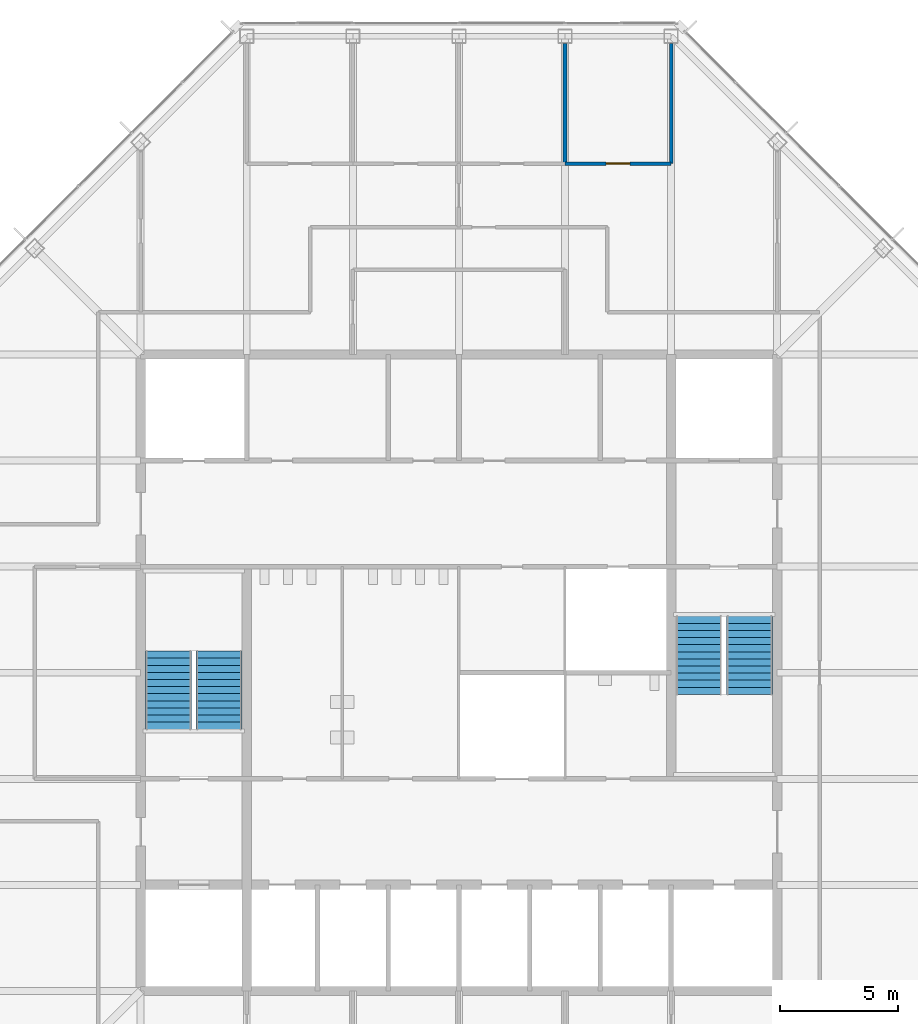
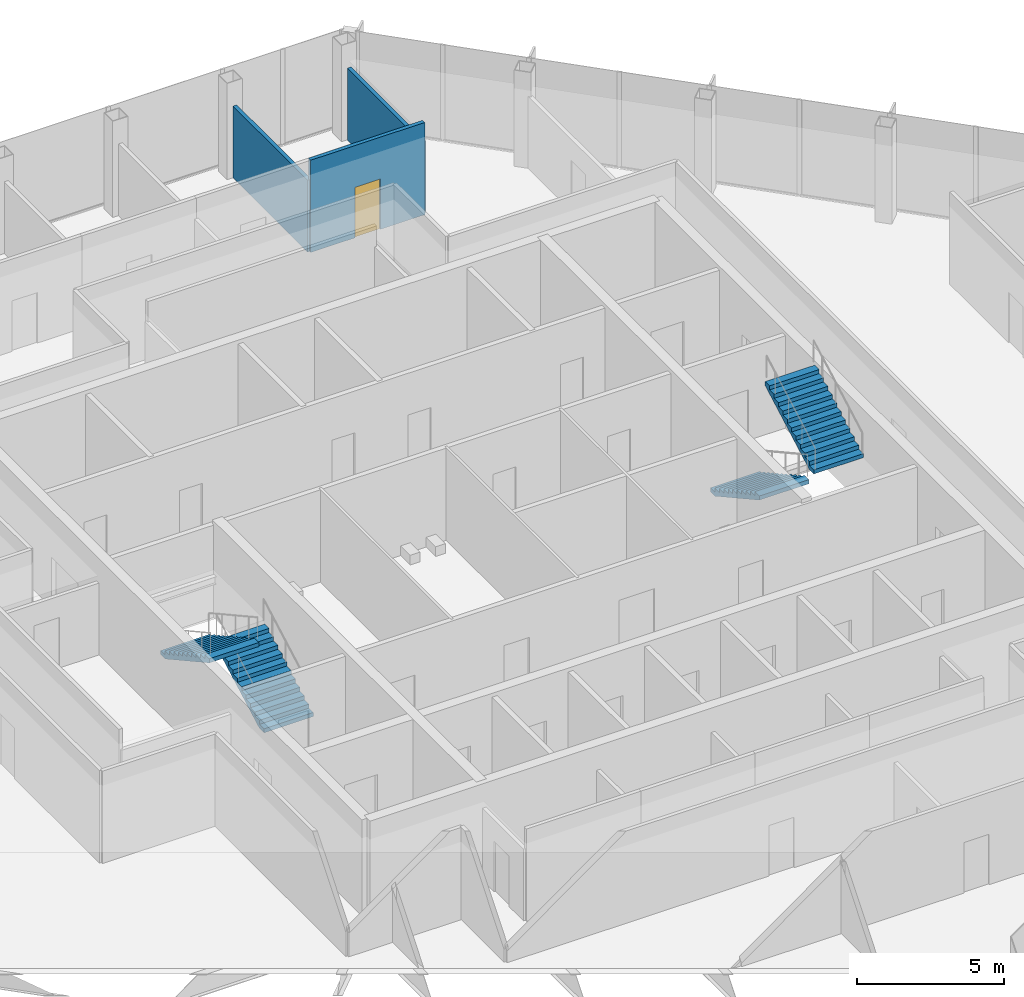
# One storey, part 12 of 14: 4 stair flights, 3 walls, 1 door, 1 opening, 2 elements without a shape of their own.
"""IFC4 building model written with IfcOpenShell, lengths in metres."""

import ifcopenshell
import ifcopenshell.guid

model = None  # the IFC model being written
_history = None  # IfcOwnerHistory: only IFC2X3 demands one
_inside = {}  # id of a spatial element -> (the spatial element, [elements in it])
_under = {}  # id of a project, library or spatial element -> (it, [spatial elements below it])
_declared = {}  # id of a project -> (the project, [libraries it declares])
_typed = {}  # id of a type object -> (the type object, [elements of that type])
_made_of = {}  # id of a material, layer set ... -> (it, [elements and type objects made of it])


def new_model(schema):
    """Start an empty IFC model of exactly this schema.

    Asked for "IFC4X3", IfcOpenShell would pick the latest addendum, in which some entities
    have other attributes; the version numbers below select the first issue.
    IFC2X3 requires an IfcOwnerHistory on every rooted entity: one is made here for all.
    """
    global model, _history
    if schema == "IFC4X3":
        model = ifcopenshell.file(schema_version=(4, 3, 0, 0))
    else:
        model = ifcopenshell.file(schema=schema)
    _inside.clear()
    _under.clear()
    _declared.clear()
    _typed.clear()
    _made_of.clear()
    _history = None
    if model.schema == "IFC2X3":
        org = make("IfcOrganization", Name="unknown")
        user = make(
            "IfcPersonAndOrganization",
            ThePerson=make("IfcPerson", FamilyName="unknown"),
            TheOrganization=org,
        )
        app = make(
            "IfcApplication",
            ApplicationDeveloper=org,
            Version="unknown",
            ApplicationFullName="unknown",
            ApplicationIdentifier="unknown",
        )
        _history = make(
            "IfcOwnerHistory",
            OwningUser=user,
            OwningApplication=app,
            ChangeAction="ADDED",
            CreationDate=0,
        )
    return model


def make(cls, **values):
    """One entity of the class cls with the attributes given. An attribute that is None is left unset."""
    return model.create_entity(
        cls, **{name: value for name, value in values.items() if value is not None}
    )


def rooted(cls, **values):
    """An entity with a GlobalId (a new one), such as an element, a storey or a relation."""
    return make(cls, GlobalId=ifcopenshell.guid.new(), OwnerHistory=_history, **values)


def si_unit(unit_type, name, prefix=None):
    """IfcSIUnit, for example si_unit("LENGTHUNIT", "METRE", prefix="MILLI")."""
    return make("IfcSIUnit", UnitType=unit_type, Prefix=prefix, Name=name)


def assignment(units):
    """IfcUnitAssignment: the units of a project."""
    return None if units is None else make("IfcUnitAssignment", Units=units)


def point(xyz):
    """IfcCartesianPoint."""
    return None if xyz is None else make("IfcCartesianPoint", Coordinates=xyz)


def direction(xyz):
    """IfcDirection."""
    return None if xyz is None else make("IfcDirection", DirectionRatios=xyz)


def frame(location, z_axis=None, x_axis=None):
    """IfcAxis2Placement3D, a coordinate frame: its origin and axes. An axis left out is left unset."""
    return make(
        "IfcAxis2Placement3D",
        Location=point(location),
        Axis=direction(z_axis),
        RefDirection=direction(x_axis),
    )


def frame_2d(location, x_axis=None):
    """IfcAxis2Placement2D, a coordinate frame in the plane: its origin and x axis."""
    return make(
        "IfcAxis2Placement2D", Location=point(location), RefDirection=direction(x_axis)
    )


def origin():
    """The frame at (0, 0, 0) with its axes left unset."""
    return frame((0.0, 0.0, 0.0))


def place(relative_to, where):
    """IfcLocalPlacement: puts the frame where relative to a parent placement (None: the world)."""
    return make(
        "IfcLocalPlacement", PlacementRelTo=relative_to, RelativePlacement=where
    )


def context(
    kind, dimensions, precision=None, world=None, true_north=None, identifier=None
):
    """IfcGeometricRepresentationContext, for example the 3D "Model" context."""
    return make(
        "IfcGeometricRepresentationContext",
        ContextIdentifier=identifier,
        ContextType=kind,
        CoordinateSpaceDimension=dimensions,
        Precision=precision,
        WorldCoordinateSystem=world,
        TrueNorth=true_north,
    )


def subcontext(parent, identifier, kind, view, scale=None):
    """IfcGeometricRepresentationSubContext, for example "Body" below "Model"."""
    return make(
        "IfcGeometricRepresentationSubContext",
        ContextIdentifier=identifier,
        ContextType=kind,
        ParentContext=parent,
        TargetScale=scale,
        TargetView=view,
    )


def project(units=None, contexts=None):
    """IfcProject with its units and contexts."""
    return rooted(
        "IfcProject",
        Name="project",
        RepresentationContexts=contexts,
        UnitsInContext=assignment(units),
    )


def spatial(cls, under=None, at=None, **own):
    """A site, building, storey or space (cls), placed at a placement, below another one or the project."""
    s = rooted(cls, ObjectPlacement=at, **own)
    if under is not None:
        _under.setdefault(under.id(), (under, []))[1].append(s)
    return s


def polyline(points):
    """IfcPolyline through the points."""
    return make("IfcPolyline", Points=[point(p) for p in points])


def profile(cls, at=None, kind="AREA", **sizes):
    """A parametric profile (cls). Its sizes go by their IFC names, for example OverallWidth=200.0."""
    return make(cls, ProfileType=kind, Position=at, **sizes)


def rectangle(**sizes):
    """IfcRectangleProfileDef."""
    return profile("IfcRectangleProfileDef", **sizes)


def outline(outer, holes=None, kind="AREA"):
    """IfcArbitraryClosedProfileDef: a profile drawn as a closed curve; with holes, ...WithVoids."""
    if holes is None:
        return make("IfcArbitraryClosedProfileDef", ProfileType=kind, OuterCurve=outer)
    return make(
        "IfcArbitraryProfileDefWithVoids",
        ProfileType=kind,
        OuterCurve=outer,
        InnerCurves=holes,
    )


def extrude(swept, where, along, depth):
    """IfcExtrudedAreaSolid: the profile swept, set in the frame where, extruded along a direction by depth."""
    return make(
        "IfcExtrudedAreaSolid",
        SweptArea=swept,
        Position=where,
        ExtrudedDirection=direction(along),
        Depth=depth,
    )


def shape(context_of_items, identifier, shape_type, items):
    """IfcShapeRepresentation: the items that make up one representation, for example the "Body"."""
    return make(
        "IfcShapeRepresentation",
        ContextOfItems=context_of_items,
        RepresentationIdentifier=identifier,
        RepresentationType=shape_type,
        Items=items,
    )


def material(Name=None, Category=None):
    """IfcMaterial."""
    return make("IfcMaterial", Name=Name, Category=Category)


def layer(
    of_material, thickness, ventilated=None, Name=None, Category=None, Priority=None
):
    """IfcMaterialLayer: one layer of a wall or slab, of a material (None: an air gap)."""
    return make(
        "IfcMaterialLayer",
        Material=of_material,
        LayerThickness=thickness,
        IsVentilated=ventilated,
        Name=Name,
        Category=Category,
        Priority=Priority,
    )


def layer_set(layers, Name=None):
    """IfcMaterialLayerSet."""
    return make("IfcMaterialLayerSet", MaterialLayers=layers, LayerSetName=Name)


def made_of(thing, what):
    """Note that an element or type object is made of a material, layer set ...; save() writes the relation."""
    if what is not None:
        _made_of.setdefault(what.id(), (what, []))[1].append(thing)
    return thing


def type_object(cls, material=None, **own):
    """A type object (cls), such as IfcWallType, which elements share."""
    return made_of(rooted(cls, **own), material)


def element(
    cls,
    number,
    at=None,
    inside=None,
    cuts=None,
    type_object=None,
    material=None,
    context=None,
    identifier="Body",
    shape_type=None,
    held_by="IfcProductDefinitionShape",
    body=None,
    shapes=None,
    **own,
):
    """One element of the class cls, such as IfcWall. Its Tag is "e" and its number.

    at: its placement. inside: the storey or other place that contains it. cuts: it is an
    opening in that element (IfcRelVoidsElement). A single representation is given by context,
    identifier, shape_type and body (its items); several are given by shapes. held_by: the class
    of the entity that holds the representations. save() writes the other relations.
    """
    e = rooted(cls, Tag="e%d" % number, ObjectPlacement=at, **own)
    if body is not None:
        shapes = [shape(context, identifier, shape_type, body)]
    if shapes is not None:
        e.Representation = make(held_by, Representations=shapes)
    if inside is not None:
        _inside.setdefault(inside.id(), (inside, []))[1].append(e)
    if cuts is not None:
        rooted(
            "IfcRelVoidsElement", RelatingBuildingElement=cuts, RelatedOpeningElement=e
        )
    if type_object is not None:
        _typed.setdefault(type_object.id(), (type_object, []))[1].append(e)
    return made_of(e, material)


def fill(opening, filler):
    """IfcRelFillsElement: the door or window that sits in an opening."""
    return rooted(
        "IfcRelFillsElement",
        RelatingOpeningElement=opening,
        RelatedBuildingElement=filler,
    )


def aggregate(whole, parts):
    """IfcRelAggregates: a whole, such as a stair, and the parts it consists of."""
    return rooted("IfcRelAggregates", RelatingObject=whole, RelatedObjects=parts)


def save(model, path):
    """Write the relations noted so far, then the file.

    IfcRelAggregates (storeys below a building ...), IfcRelContainedInSpatialStructure (elements
    in a storey), IfcRelDefinesByType, IfcRelAssociatesMaterial and IfcRelDeclares: one each for
    every whole, place, type object, material and project.
    """
    for whole, parts in _under.values():
        aggregate(whole, parts)
    for where, things in _inside.values():
        rooted(
            "IfcRelContainedInSpatialStructure",
            RelatedElements=things,
            RelatingStructure=where,
        )
    for kind, things in _typed.values():
        rooted("IfcRelDefinesByType", RelatedObjects=things, RelatingType=kind)
    for what, things in _made_of.values():
        rooted("IfcRelAssociatesMaterial", RelatedObjects=things, RelatingMaterial=what)
    for by, libraries in _declared.values():
        rooted("IfcRelDeclares", RelatingContext=by, RelatedDefinitions=libraries)
    model.write(path)


model = new_model("IFC4")

# Units and contexts
model_context = context("Model", 3, precision=1e-05, world=origin(), true_north=direction((0.0, 1.0)))
body_context = subcontext(model_context, "Body", "Model", "MODEL_VIEW")
ifc_project = project(units=[si_unit("LENGTHUNIT", "METRE"), si_unit("AREAUNIT", "SQUARE_METRE"), si_unit("VOLUMEUNIT", "CUBIC_METRE"), si_unit("PLANEANGLEUNIT", "RADIAN"), si_unit("MASSUNIT", "GRAM", prefix="KILO")], contexts=[model_context])

# Site, building, storey
site_placement = place(None, origin())
site = spatial("IfcSite", under=ifc_project, at=site_placement, CompositionType="ELEMENT")
building_placement = place(site_placement, origin())
building = spatial("IfcBuilding", under=site, at=building_placement, Name="Corais Broadcast Tower", CompositionType="ELEMENT")
storey_placement = place(building_placement, frame((0.0, 0.0, 278.60009765625)))
storey = spatial("IfcBuildingStorey", under=building, at=storey_placement, Name="L65", CompositionType="ELEMENT", Elevation=278.60009765625)

# Wall
ifc_material_1 = material(Name="Gypsum board on steel studs", Category="steel")
ifc_layer = layer(ifc_material_1, 0.14990234375)
ifc_layer_set = layer_set([ifc_layer], Name="Gypsum board on steel studs")
wall_type = type_object("IfcWallType", Name="Partition 150", PredefinedType="PARTITIONING", material=ifc_layer_set)
wall_1_placement = place(storey_placement, frame((31.5, 48.60009765625, 0.0), z_axis=(0.0, 0.0, 1.0), x_axis=(0.0, 1.0, 0.0)))
element("IfcWall", 1, at=wall_1_placement, inside=storey, type_object=wall_type, Name="IW3 partition L65", PredefinedType="PARTITIONING", context=body_context, shape_type="SweptSolid", body=[
    extrude(rectangle(XDim=5.08984375, YDim=0.14990234375, at=frame_2d((2.544921875, 0.0))), origin(), (0.0, 0.0, 1.0), 2.989013671875),
])

# Wall, opening, door
wall_2_placement = place(storey_placement, frame((31.5, 48.60009765625, 0.0), z_axis=(0.0, 0.0, 1.0), x_axis=(1.0, 0.0, 0.0)))
wall_2 = element("IfcWall", 2, at=wall_2_placement, inside=storey, type_object=wall_type, Name="IW3 partition L65", PredefinedType="PARTITIONING", context=body_context, shape_type="SweptSolid", body=[
    extrude(rectangle(XDim=4.5, YDim=0.14990234375, at=frame_2d((2.25, 0.0))), origin(), (0.0, 0.0, 1.0), 3.83984375),
])
opening_placement = place(wall_2_placement, frame((1.75, 0.0, 0.0)))
opening = element("IfcOpeningElement", 3, at=opening_placement, cuts=wall_2, Name="Opening D1", PredefinedType="OPENING", context=body_context, shape_type="SweptSolid", body=[
    extrude(rectangle(XDim=1.0, YDim=2.10009765625, at=frame_2d((0.5, 1.050048828125))), frame((0.0, 0.0849609375, 0.0), z_axis=(0.0, -1.0, 0.0), x_axis=(1.0, 0.0, 0.0)), (0.0, 0.0, 1.0), 0.169921875),
])
ifc_material_2 = material(Name="Timber door", Category="wood")
door_type = type_object("IfcDoorType", Name="Single door 1000x2100", OperationType="SINGLE_SWING_LEFT", PredefinedType="DOOR", material=ifc_material_2)
door_placement = place(opening_placement, origin())
door = element("IfcDoor", 4, at=door_placement, inside=storey, type_object=door_type, Name="D1 Assistant office door", OperationType="SINGLE_SWING_LEFT", OverallHeight=2.10009765625, OverallWidth=1.0, PredefinedType="DOOR", context=body_context, shape_type="SweptSolid", body=[
    extrude(rectangle(XDim=1.0, YDim=2.10009765625, at=frame_2d((0.5, 1.050048828125))), frame((0.0, 0.02490234375, 0.0), z_axis=(0.0, -1.0, 0.0), x_axis=(1.0, 0.0, 0.0)), (0.0, 0.0, 1.0), 0.050048828125),
])
fill(opening, door)

# Wall
wall_3_placement = place(storey_placement, frame((36.0, 48.60009765625, 0.0), z_axis=(0.0, 0.0, 1.0), x_axis=(0.0, 1.0, 0.0)))
element("IfcWall", 5, at=wall_3_placement, inside=storey, type_object=wall_type, Name="IW3 partition L65", PredefinedType="PARTITIONING", context=body_context, shape_type="SweptSolid", body=[
    extrude(rectangle(XDim=5.08984375, YDim=0.14990234375, at=frame_2d((2.544921875, 0.0))), origin(), (0.0, 0.0, 1.0), 2.989013671875),
])

# Stair, stair flights
ifc_material_3 = material(Name="Concrete C30/37", Category="concrete")
stair_type = type_object("IfcStairType", Name="Half-turn stair 4000", PredefinedType="HALF_TURN_STAIR", material=ifc_material_3)
stair_1_placement = place(storey_placement, origin())
stair_1 = element("IfcStair", 6, at=stair_1_placement, inside=storey, type_object=stair_type, Name="Stair A L65", PredefinedType="HALF_TURN_STAIR")
ifc_material_4 = material(Name="Concrete C30/37", Category="concrete")
stair_flight_type = type_object("IfcStairFlightType", Name="Stair flight 4000", PredefinedType="STRAIGHT", material=ifc_material_4)
stair_flight_1_placement = place(storey_placement, frame((16.824951171875, 24.60009765625, 0.0), z_axis=(0.0, 0.0, 1.0), x_axis=(0.0, 1.0, 0.0)))
stair_flight_1 = element("IfcStairFlight", 7, at=stair_flight_1_placement, type_object=stair_flight_type, Name="STA flight 1", NumberOfRisers=12, NumberOfTreads=11, PredefinedType="STRAIGHT", RiserHeight=0.166666667, TreadLength=0.302, context=body_context, shape_type="SweptSolid", body=[
    extrude(outline(polyline([(0.0, 0.0), (0.0, 0.166748046875), (0.302001953125, 0.166748046875), (0.302001953125, 0.333251953125), (0.60400390625, 0.333251953125), (0.60400390625, 0.5), (0.906005859375, 0.5), (0.906005859375, 0.666748046875), (1.2080078125, 0.666748046875), (1.2080078125, 0.833251953125), (1.510009765625, 0.833251953125), (1.510009765625, 1.0), (1.81201171875, 1.0), (1.81201171875, 1.166748046875), (2.114013671875, 1.166748046875), (2.114013671875, 1.333251953125), (2.416015625, 1.333251953125), (2.416015625, 1.5), (2.718017578125, 1.5), (2.718017578125, 1.666748046875), (3.02001953125, 1.666748046875), (3.02001953125, 1.833251953125), (3.322021484375, 1.833251953125), (3.322021484375, 2.0), (3.322021484375, 1.662109375), (0.310302734375, 0.0), (0.0, 0.0)])), frame((0.0, 0.97509765625, 0.0), z_axis=(0.0, -1.0, 0.0), x_axis=(1.0, 0.0, 0.0)), (0.0, 0.0, 1.0), 1.949951171875),
])
stair_flight_2_placement = place(storey_placement, frame((14.675048828125, 27.922119140625, 2.0), z_axis=(0.0, 0.0, 1.0), x_axis=(0.0, -1.0, 0.0)))
stair_flight_2 = element("IfcStairFlight", 8, at=stair_flight_2_placement, type_object=stair_flight_type, Name="STA flight 2", NumberOfRisers=12, NumberOfTreads=11, PredefinedType="STRAIGHT", RiserHeight=0.166666667, TreadLength=0.302, context=body_context, shape_type="SweptSolid", body=[
    extrude(outline(polyline([(0.0, 0.0), (0.0, 0.166748046875), (0.302001953125, 0.166748046875), (0.302001953125, 0.333251953125), (0.60400390625, 0.333251953125), (0.60400390625, 0.5), (0.906005859375, 0.5), (0.906005859375, 0.666748046875), (1.2080078125, 0.666748046875), (1.2080078125, 0.833251953125), (1.510009765625, 0.833251953125), (1.510009765625, 1.0), (1.81201171875, 1.0), (1.81201171875, 1.166748046875), (2.114013671875, 1.166748046875), (2.114013671875, 1.333251953125), (2.416015625, 1.333251953125), (2.416015625, 1.5), (2.718017578125, 1.5), (2.718017578125, 1.666748046875), (3.02001953125, 1.666748046875), (3.02001953125, 1.833251953125), (3.322021484375, 1.833251953125), (3.322021484375, 2.0), (3.322021484375, 1.662109375), (0.310302734375, 0.0), (0.0, 0.0)])), frame((0.0, 0.97509765625, 0.0), z_axis=(0.0, -1.0, 0.0), x_axis=(1.0, 0.0, 0.0)), (0.0, 0.0, 1.0), 1.949951171875),
])
aggregate(stair_1, [stair_flight_1, stair_flight_2])

stair_2_placement = place(storey_placement, origin())
stair_2 = element("IfcStair", 9, at=stair_2_placement, inside=storey, type_object=stair_type, Name="Stair B L65", PredefinedType="HALF_TURN_STAIR")
stair_flight_3_placement = place(storey_placement, frame((37.175048828125, 29.39990234375, 0.0), z_axis=(0.0, 0.0, 1.0), x_axis=(0.0, -1.0, 0.0)))
stair_flight_3 = element("IfcStairFlight", 10, at=stair_flight_3_placement, type_object=stair_flight_type, Name="STB flight 1", NumberOfRisers=12, NumberOfTreads=11, PredefinedType="STRAIGHT", RiserHeight=0.166666667, TreadLength=0.302, context=body_context, shape_type="SweptSolid", body=[
    extrude(outline(polyline([(0.0, 0.0), (0.0, 0.166748046875), (0.302001953125, 0.166748046875), (0.302001953125, 0.333251953125), (0.60400390625, 0.333251953125), (0.60400390625, 0.5), (0.906005859375, 0.5), (0.906005859375, 0.666748046875), (1.2080078125, 0.666748046875), (1.2080078125, 0.833251953125), (1.510009765625, 0.833251953125), (1.510009765625, 1.0), (1.81201171875, 1.0), (1.81201171875, 1.166748046875), (2.114013671875, 1.166748046875), (2.114013671875, 1.333251953125), (2.416015625, 1.333251953125), (2.416015625, 1.5), (2.718017578125, 1.5), (2.718017578125, 1.666748046875), (3.02001953125, 1.666748046875), (3.02001953125, 1.833251953125), (3.322021484375, 1.833251953125), (3.322021484375, 2.0), (3.322021484375, 1.662109375), (0.310302734375, 0.0), (0.0, 0.0)])), frame((0.0, 0.97509765625, 0.0), z_axis=(0.0, -1.0, 0.0), x_axis=(1.0, 0.0, 0.0)), (0.0, 0.0, 1.0), 1.949951171875),
])
stair_flight_4_placement = place(storey_placement, frame((39.324951171875, 26.077880859375, 2.0), z_axis=(0.0, 0.0, 1.0), x_axis=(0.0, 1.0, 0.0)))
stair_flight_4 = element("IfcStairFlight", 11, at=stair_flight_4_placement, type_object=stair_flight_type, Name="STB flight 2", NumberOfRisers=12, NumberOfTreads=11, PredefinedType="STRAIGHT", RiserHeight=0.166666667, TreadLength=0.302, context=body_context, shape_type="SweptSolid", body=[
    extrude(outline(polyline([(0.0, 0.0), (0.0, 0.166748046875), (0.302001953125, 0.166748046875), (0.302001953125, 0.333251953125), (0.60400390625, 0.333251953125), (0.60400390625, 0.5), (0.906005859375, 0.5), (0.906005859375, 0.666748046875), (1.2080078125, 0.666748046875), (1.2080078125, 0.833251953125), (1.510009765625, 0.833251953125), (1.510009765625, 1.0), (1.81201171875, 1.0), (1.81201171875, 1.166748046875), (2.114013671875, 1.166748046875), (2.114013671875, 1.333251953125), (2.416015625, 1.333251953125), (2.416015625, 1.5), (2.718017578125, 1.5), (2.718017578125, 1.666748046875), (3.02001953125, 1.666748046875), (3.02001953125, 1.833251953125), (3.322021484375, 1.833251953125), (3.322021484375, 2.0), (3.322021484375, 1.662109375), (0.310302734375, 0.0), (0.0, 0.0)])), frame((0.0, 0.97509765625, 0.0), z_axis=(0.0, -1.0, 0.0), x_axis=(1.0, 0.0, 0.0)), (0.0, 0.0, 1.0), 1.949951171875),
])
aggregate(stair_2, [stair_flight_3, stair_flight_4])

save(model, "model.ifc")
